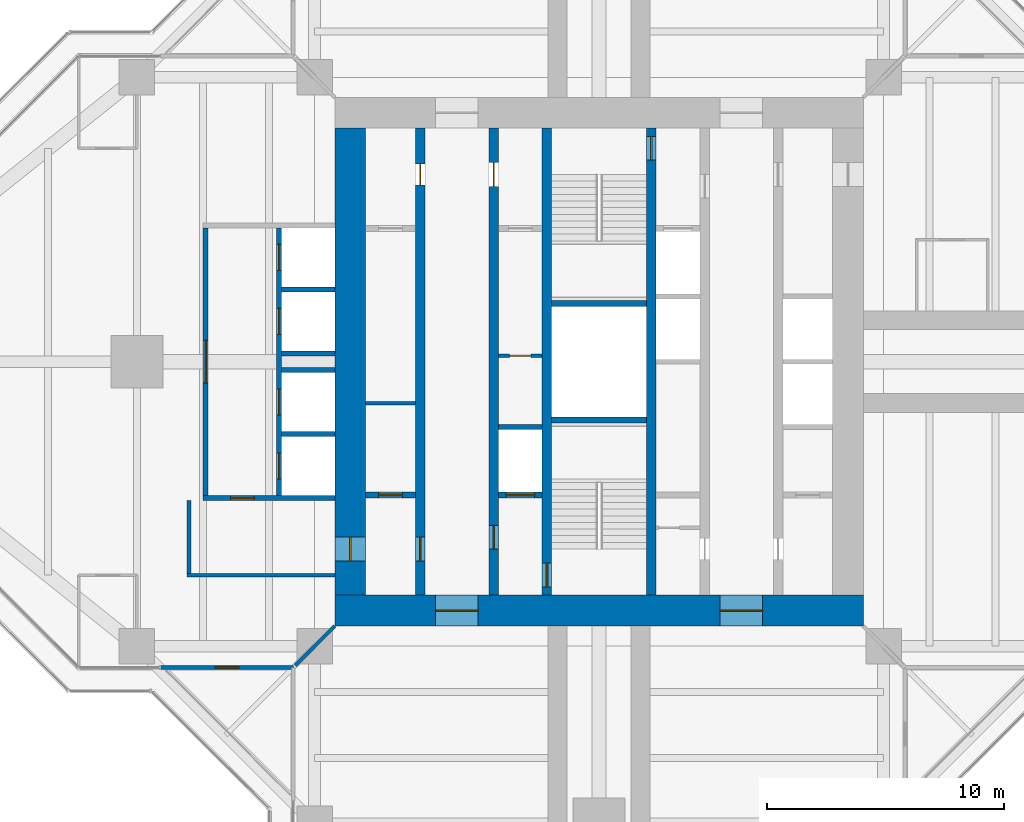
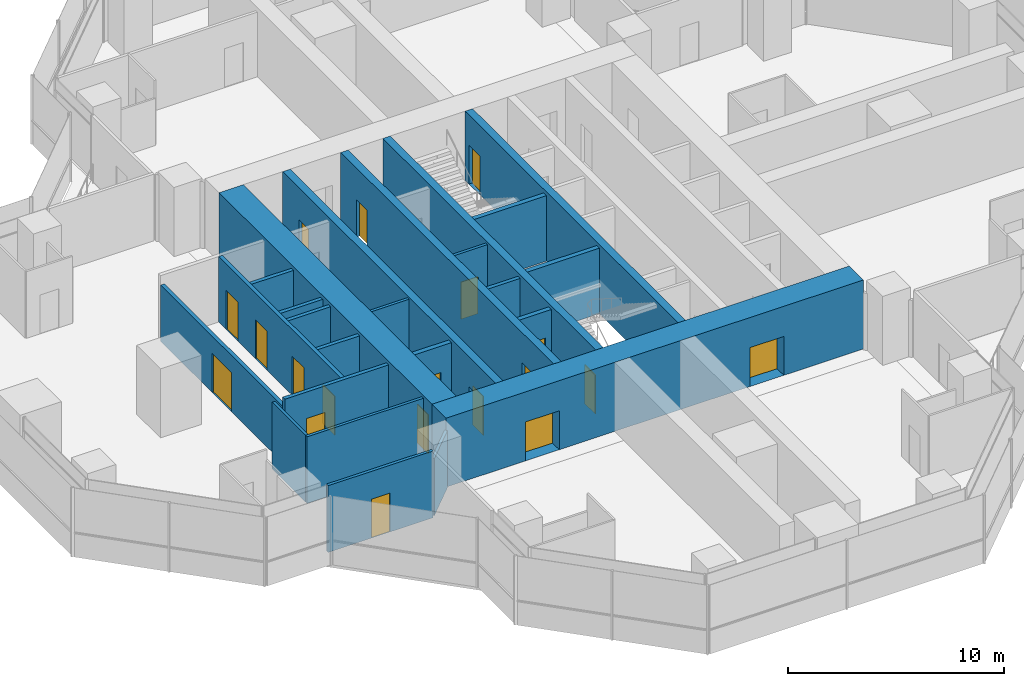
# One storey, part 13 of 17: 24 walls, 19 doors, 19 openings.
"""IFC4 building model written with IfcOpenShell, lengths in metres."""

import ifcopenshell
import ifcopenshell.guid

model = None  # the IFC model being written
_history = None  # IfcOwnerHistory: only IFC2X3 demands one
_inside = {}  # id of a spatial element -> (the spatial element, [elements in it])
_under = {}  # id of a project, library or spatial element -> (it, [spatial elements below it])
_declared = {}  # id of a project -> (the project, [libraries it declares])
_typed = {}  # id of a type object -> (the type object, [elements of that type])
_made_of = {}  # id of a material, layer set ... -> (it, [elements and type objects made of it])


def new_model(schema):
    """Start an empty IFC model of exactly this schema.

    Asked for "IFC4X3", IfcOpenShell would pick the latest addendum, in which some entities
    have other attributes; the version numbers below select the first issue.
    IFC2X3 requires an IfcOwnerHistory on every rooted entity: one is made here for all.
    """
    global model, _history
    if schema == "IFC4X3":
        model = ifcopenshell.file(schema_version=(4, 3, 0, 0))
    else:
        model = ifcopenshell.file(schema=schema)
    _inside.clear()
    _under.clear()
    _declared.clear()
    _typed.clear()
    _made_of.clear()
    _history = None
    if model.schema == "IFC2X3":
        org = make("IfcOrganization", Name="unknown")
        user = make(
            "IfcPersonAndOrganization",
            ThePerson=make("IfcPerson", FamilyName="unknown"),
            TheOrganization=org,
        )
        app = make(
            "IfcApplication",
            ApplicationDeveloper=org,
            Version="unknown",
            ApplicationFullName="unknown",
            ApplicationIdentifier="unknown",
        )
        _history = make(
            "IfcOwnerHistory",
            OwningUser=user,
            OwningApplication=app,
            ChangeAction="ADDED",
            CreationDate=0,
        )
    return model


def make(cls, **values):
    """One entity of the class cls with the attributes given. An attribute that is None is left unset."""
    return model.create_entity(
        cls, **{name: value for name, value in values.items() if value is not None}
    )


def rooted(cls, **values):
    """An entity with a GlobalId (a new one), such as an element, a storey or a relation."""
    return make(cls, GlobalId=ifcopenshell.guid.new(), OwnerHistory=_history, **values)


def si_unit(unit_type, name, prefix=None):
    """IfcSIUnit, for example si_unit("LENGTHUNIT", "METRE", prefix="MILLI")."""
    return make("IfcSIUnit", UnitType=unit_type, Prefix=prefix, Name=name)


def assignment(units):
    """IfcUnitAssignment: the units of a project."""
    return None if units is None else make("IfcUnitAssignment", Units=units)


def point(xyz):
    """IfcCartesianPoint."""
    return None if xyz is None else make("IfcCartesianPoint", Coordinates=xyz)


def direction(xyz):
    """IfcDirection."""
    return None if xyz is None else make("IfcDirection", DirectionRatios=xyz)


def frame(location, z_axis=None, x_axis=None):
    """IfcAxis2Placement3D, a coordinate frame: its origin and axes. An axis left out is left unset."""
    return make(
        "IfcAxis2Placement3D",
        Location=point(location),
        Axis=direction(z_axis),
        RefDirection=direction(x_axis),
    )


def frame_2d(location, x_axis=None):
    """IfcAxis2Placement2D, a coordinate frame in the plane: its origin and x axis."""
    return make(
        "IfcAxis2Placement2D", Location=point(location), RefDirection=direction(x_axis)
    )


def origin():
    """The frame at (0, 0, 0) with its axes left unset."""
    return frame((0.0, 0.0, 0.0))


def place(relative_to, where):
    """IfcLocalPlacement: puts the frame where relative to a parent placement (None: the world)."""
    return make(
        "IfcLocalPlacement", PlacementRelTo=relative_to, RelativePlacement=where
    )


def context(
    kind, dimensions, precision=None, world=None, true_north=None, identifier=None
):
    """IfcGeometricRepresentationContext, for example the 3D "Model" context."""
    return make(
        "IfcGeometricRepresentationContext",
        ContextIdentifier=identifier,
        ContextType=kind,
        CoordinateSpaceDimension=dimensions,
        Precision=precision,
        WorldCoordinateSystem=world,
        TrueNorth=true_north,
    )


def subcontext(parent, identifier, kind, view, scale=None):
    """IfcGeometricRepresentationSubContext, for example "Body" below "Model"."""
    return make(
        "IfcGeometricRepresentationSubContext",
        ContextIdentifier=identifier,
        ContextType=kind,
        ParentContext=parent,
        TargetScale=scale,
        TargetView=view,
    )


def project(units=None, contexts=None):
    """IfcProject with its units and contexts."""
    return rooted(
        "IfcProject",
        Name="project",
        RepresentationContexts=contexts,
        UnitsInContext=assignment(units),
    )


def spatial(cls, under=None, at=None, **own):
    """A site, building, storey or space (cls), placed at a placement, below another one or the project."""
    s = rooted(cls, ObjectPlacement=at, **own)
    if under is not None:
        _under.setdefault(under.id(), (under, []))[1].append(s)
    return s


def profile(cls, at=None, kind="AREA", **sizes):
    """A parametric profile (cls). Its sizes go by their IFC names, for example OverallWidth=200.0."""
    return make(cls, ProfileType=kind, Position=at, **sizes)


def rectangle(**sizes):
    """IfcRectangleProfileDef."""
    return profile("IfcRectangleProfileDef", **sizes)


def extrude(swept, where, along, depth):
    """IfcExtrudedAreaSolid: the profile swept, set in the frame where, extruded along a direction by depth."""
    return make(
        "IfcExtrudedAreaSolid",
        SweptArea=swept,
        Position=where,
        ExtrudedDirection=direction(along),
        Depth=depth,
    )


def shape(context_of_items, identifier, shape_type, items):
    """IfcShapeRepresentation: the items that make up one representation, for example the "Body"."""
    return make(
        "IfcShapeRepresentation",
        ContextOfItems=context_of_items,
        RepresentationIdentifier=identifier,
        RepresentationType=shape_type,
        Items=items,
    )


def material(Name=None, Category=None):
    """IfcMaterial."""
    return make("IfcMaterial", Name=Name, Category=Category)


def layer(
    of_material, thickness, ventilated=None, Name=None, Category=None, Priority=None
):
    """IfcMaterialLayer: one layer of a wall or slab, of a material (None: an air gap)."""
    return make(
        "IfcMaterialLayer",
        Material=of_material,
        LayerThickness=thickness,
        IsVentilated=ventilated,
        Name=Name,
        Category=Category,
        Priority=Priority,
    )


def layer_set(layers, Name=None):
    """IfcMaterialLayerSet."""
    return make("IfcMaterialLayerSet", MaterialLayers=layers, LayerSetName=Name)


def made_of(thing, what):
    """Note that an element or type object is made of a material, layer set ...; save() writes the relation."""
    if what is not None:
        _made_of.setdefault(what.id(), (what, []))[1].append(thing)
    return thing


def type_object(cls, material=None, **own):
    """A type object (cls), such as IfcWallType, which elements share."""
    return made_of(rooted(cls, **own), material)


def element(
    cls,
    number,
    at=None,
    inside=None,
    cuts=None,
    type_object=None,
    material=None,
    context=None,
    identifier="Body",
    shape_type=None,
    held_by="IfcProductDefinitionShape",
    body=None,
    shapes=None,
    **own,
):
    """One element of the class cls, such as IfcWall. Its Tag is "e" and its number.

    at: its placement. inside: the storey or other place that contains it. cuts: it is an
    opening in that element (IfcRelVoidsElement). A single representation is given by context,
    identifier, shape_type and body (its items); several are given by shapes. held_by: the class
    of the entity that holds the representations. save() writes the other relations.
    """
    e = rooted(cls, Tag="e%d" % number, ObjectPlacement=at, **own)
    if body is not None:
        shapes = [shape(context, identifier, shape_type, body)]
    if shapes is not None:
        e.Representation = make(held_by, Representations=shapes)
    if inside is not None:
        _inside.setdefault(inside.id(), (inside, []))[1].append(e)
    if cuts is not None:
        rooted(
            "IfcRelVoidsElement", RelatingBuildingElement=cuts, RelatedOpeningElement=e
        )
    if type_object is not None:
        _typed.setdefault(type_object.id(), (type_object, []))[1].append(e)
    return made_of(e, material)


def fill(opening, filler):
    """IfcRelFillsElement: the door or window that sits in an opening."""
    return rooted(
        "IfcRelFillsElement",
        RelatingOpeningElement=opening,
        RelatedBuildingElement=filler,
    )


def aggregate(whole, parts):
    """IfcRelAggregates: a whole, such as a stair, and the parts it consists of."""
    return rooted("IfcRelAggregates", RelatingObject=whole, RelatedObjects=parts)


def save(model, path):
    """Write the relations noted so far, then the file.

    IfcRelAggregates (storeys below a building ...), IfcRelContainedInSpatialStructure (elements
    in a storey), IfcRelDefinesByType, IfcRelAssociatesMaterial and IfcRelDeclares: one each for
    every whole, place, type object, material and project.
    """
    for whole, parts in _under.values():
        aggregate(whole, parts)
    for where, things in _inside.values():
        rooted(
            "IfcRelContainedInSpatialStructure",
            RelatedElements=things,
            RelatingStructure=where,
        )
    for kind, things in _typed.values():
        rooted("IfcRelDefinesByType", RelatedObjects=things, RelatingType=kind)
    for what, things in _made_of.values():
        rooted("IfcRelAssociatesMaterial", RelatedObjects=things, RelatingMaterial=what)
    for by, libraries in _declared.values():
        rooted("IfcRelDeclares", RelatingContext=by, RelatedDefinitions=libraries)
    model.write(path)


model = new_model("IFC4")

# Units and contexts
model_context = context("Model", 3, precision=1e-05, world=origin(), true_north=direction((0.0, 1.0)))
body_context = subcontext(model_context, "Body", "Model", "MODEL_VIEW")
ifc_project = project(units=[si_unit("LENGTHUNIT", "METRE"), si_unit("AREAUNIT", "SQUARE_METRE"), si_unit("VOLUMEUNIT", "CUBIC_METRE"), si_unit("PLANEANGLEUNIT", "RADIAN"), si_unit("MASSUNIT", "GRAM", prefix="KILO")], contexts=[model_context])

# Site, building, storey
site_placement = place(None, origin())
site = spatial("IfcSite", under=ifc_project, at=site_placement, CompositionType="ELEMENT")
building_placement = place(site_placement, origin())
building = spatial("IfcBuilding", under=site, at=building_placement, Name="Mizan Broadcast Tower", CompositionType="ELEMENT")
storey_placement = place(building_placement, frame((0.0, 0.0, 263.39990234375)))
storey = spatial("IfcBuildingStorey", under=building, at=storey_placement, Name="L62", CompositionType="ELEMENT", Elevation=263.39990234375)

# Wall, openings, doors
ifc_material_1 = material(Name="Concrete C70/85", Category="concrete")
ifc_layer_1 = layer(ifc_material_1, 0.39990234375)
ifc_layer_set_1 = layer_set([ifc_layer_1], Name="Concrete C70/85")
wall_type_1 = type_object("IfcWallType", Name="CORE INTERNAL WALL 400", PredefinedType="SHEAR", material=ifc_layer_set_1)
wall_1_placement = place(storey_placement, frame((-7.550048828125, -9.85009765625, 0.0), z_axis=(0.0, 0.0, 1.0), x_axis=(0.0, 1.0, 0.0)))
wall_1 = element("IfcWall", 1, at=wall_1_placement, inside=storey, type_object=wall_type_1, Name="Core wall CORE/XW1", PredefinedType="SHEAR", context=body_context, shape_type="SweptSolid", body=[
    extrude(rectangle(XDim=19.7001953125, YDim=0.39990234375, at=frame_2d((9.85009765625, 0.0))), origin(), (0.0, 0.0, 1.0), 3.900146484375),
])
opening_1_placement = place(wall_1_placement, frame((1.449951171875, 0.0, 0.0)))
opening_1 = element("IfcOpeningElement", 2, at=opening_1_placement, cuts=wall_1, Name="Opening D10F", PredefinedType="OPENING", context=body_context, shape_type="SweptSolid", body=[
    extrude(rectangle(XDim=1.0, YDim=2.199951171875, at=frame_2d((0.5, 1.10009765625))), frame((0.0, 0.2099609375, 0.0), z_axis=(0.0, -1.0, 0.0), x_axis=(1.0, 0.0, 0.0)), (0.0, 0.0, 1.0), 0.419921875),
])
opening_2_placement = place(wall_1_placement, frame((17.300048828125, 0.0, 0.0)))
opening_2 = element("IfcOpeningElement", 3, at=opening_2_placement, cuts=wall_1, Name="Opening D09", PredefinedType="OPENING", context=body_context, shape_type="SweptSolid", body=[
    extrude(rectangle(XDim=0.89990234375, YDim=2.10009765625, at=frame_2d((0.449951171875, 1.050048828125))), frame((0.0, 0.2099609375, 0.0), z_axis=(0.0, -1.0, 0.0), x_axis=(1.0, 0.0, 0.0)), (0.0, 0.0, 1.0), 0.419921875),
])
ifc_material_2 = material(Name="Steel door leaf in steel frame", Category="steel")
door_type_1 = type_object("IfcDoorType", Name="FIRE DOOR 1000 FD90", OperationType="SINGLE_SWING_LEFT", PredefinedType="DOOR", material=ifc_material_2)
door_1_placement = place(opening_1_placement, origin())
door_1 = element("IfcDoor", 4, at=door_1_placement, inside=storey, type_object=door_type_1, Name="West core passage door", OperationType="SINGLE_SWING_LEFT", OverallHeight=2.199951171875, OverallWidth=1.0, PredefinedType="DOOR", context=body_context, shape_type="SweptSolid", body=[
    extrude(rectangle(XDim=1.0, YDim=2.199951171875, at=frame_2d((0.5, 1.10009765625))), frame((0.0, 0.02490234375, 0.0), z_axis=(0.0, -1.0, 0.0), x_axis=(1.0, 0.0, 0.0)), (0.0, 0.0, 1.0), 0.050048828125),
])
fill(opening_1, door_1)
ifc_material_3 = material(Name="Timber door leaf in aluminium frame", Category="wood")
door_type_2 = type_object("IfcDoorType", Name="TOILET DOOR 900", OperationType="SINGLE_SWING_LEFT", PredefinedType="DOOR", material=ifc_material_3)
door_2_placement = place(opening_2_placement, origin())
door_2 = element("IfcDoor", 5, at=door_2_placement, inside=storey, type_object=door_type_2, Name="Male WC door", OperationType="SINGLE_SWING_RIGHT", OverallHeight=2.10009765625, OverallWidth=0.89990234375, PredefinedType="DOOR", context=body_context, shape_type="SweptSolid", body=[
    extrude(rectangle(XDim=0.89990234375, YDim=2.10009765625, at=frame_2d((0.449951171875, 1.050048828125))), frame((0.0, 0.02490234375, 0.0), z_axis=(0.0, -1.0, 0.0), x_axis=(1.0, 0.0, 0.0)), (0.0, 0.0, 1.0), 0.050048828125),
])
fill(opening_2, door_2)

wall_2_placement = place(storey_placement, frame((-4.449951171875, -9.85009765625, 0.0), z_axis=(0.0, 0.0, 1.0), x_axis=(0.0, 1.0, 0.0)))
wall_2 = element("IfcWall", 6, at=wall_2_placement, inside=storey, type_object=wall_type_1, Name="Core wall CORE/XWH", PredefinedType="SHEAR", context=body_context, shape_type="SweptSolid", body=[
    extrude(rectangle(XDim=19.7001953125, YDim=0.39990234375, at=frame_2d((9.85009765625, 0.0))), origin(), (0.0, 0.0, 1.0), 3.900146484375),
])
opening_3_placement = place(wall_2_placement, frame((1.949951171875, 0.0, 0.0)))
opening_3 = element("IfcOpeningElement", 7, at=opening_3_placement, cuts=wall_2, Name="Opening D10F", PredefinedType="OPENING", context=body_context, shape_type="SweptSolid", body=[
    extrude(rectangle(XDim=1.0, YDim=2.199951171875, at=frame_2d((0.5, 1.10009765625))), frame((0.0, 0.2099609375, 0.0), z_axis=(0.0, -1.0, 0.0), x_axis=(1.0, 0.0, 0.0)), (0.0, 0.0, 1.0), 0.419921875),
])
opening_4_placement = place(wall_2_placement, frame((17.25, 0.0, 0.0)))
opening_4 = element("IfcOpeningElement", 8, at=opening_4_placement, cuts=wall_2, Name="Opening D10A", PredefinedType="OPENING", context=body_context, shape_type="SweptSolid", body=[
    extrude(rectangle(XDim=1.0, YDim=2.10009765625, at=frame_2d((0.5, 1.050048828125))), frame((0.0, 0.2099609375, 0.0), z_axis=(0.0, -1.0, 0.0), x_axis=(1.0, 0.0, 0.0)), (0.0, 0.0, 1.0), 0.419921875),
])
ifc_material_4 = material(Name="Timber door leaf in aluminium frame", Category="wood")
door_type_3 = type_object("IfcDoorType", Name="ACCESSIBLE WC DOOR 1000", OperationType="SLIDING_TO_LEFT", PredefinedType="DOOR", material=ifc_material_4)
door_3_placement = place(opening_4_placement, origin())
door_3 = element("IfcDoor", 9, at=door_3_placement, inside=storey, type_object=door_type_3, Name="Accessible WC door", OperationType="SLIDING_TO_LEFT", OverallHeight=2.10009765625, OverallWidth=1.0, PredefinedType="DOOR", context=body_context, shape_type="SweptSolid", body=[
    extrude(rectangle(XDim=1.0, YDim=2.10009765625, at=frame_2d((0.5, 1.050048828125))), frame((0.0, 0.02490234375, 0.0), z_axis=(0.0, -1.0, 0.0), x_axis=(1.0, 0.0, 0.0)), (0.0, 0.0, 1.0), 0.050048828125),
])
fill(opening_4, door_3)
door_4_placement = place(opening_3_placement, origin())
door_4 = element("IfcDoor", 10, at=door_4_placement, inside=storey, type_object=door_type_1, Name="Firefighting lobby A door", OperationType="SINGLE_SWING_LEFT", OverallHeight=2.199951171875, OverallWidth=1.0, PredefinedType="DOOR", context=body_context, shape_type="SweptSolid", body=[
    extrude(rectangle(XDim=1.0, YDim=2.199951171875, at=frame_2d((0.5, 1.10009765625))), frame((0.0, 0.02490234375, 0.0), z_axis=(0.0, -1.0, 0.0), x_axis=(1.0, 0.0, 0.0)), (0.0, 0.0, 1.0), 0.050048828125),
])
fill(opening_3, door_4)

# Wall, opening, door
wall_3_placement = place(storey_placement, frame((-2.199951171875, -9.85009765625, 0.0), z_axis=(0.0, 0.0, 1.0), x_axis=(0.0, 1.0, 0.0)))
wall_3 = element("IfcWall", 11, at=wall_3_placement, inside=storey, type_object=wall_type_1, Name="Core wall CORE/XW2", PredefinedType="SHEAR", context=body_context, shape_type="SweptSolid", body=[
    extrude(rectangle(XDim=19.7001953125, YDim=0.39990234375, at=frame_2d((9.85009765625, 0.0))), origin(), (0.0, 0.0, 1.0), 3.900146484375),
])
opening_5_placement = place(wall_3_placement, frame((0.35009765625, 0.0, 0.0)))
opening_5 = element("IfcOpeningElement", 12, at=opening_5_placement, cuts=wall_3, Name="Opening D10S", PredefinedType="OPENING", context=body_context, shape_type="SweptSolid", body=[
    extrude(rectangle(XDim=1.0, YDim=2.199951171875, at=frame_2d((0.5, 1.10009765625))), frame((0.0, 0.2099609375, 0.0), z_axis=(0.0, -1.0, 0.0), x_axis=(1.0, 0.0, 0.0)), (0.0, 0.0, 1.0), 0.419921875),
])
ifc_material_5 = material(Name="Steel door leaf in steel frame", Category="steel")
door_type_4 = type_object("IfcDoorType", Name="STAIR DOOR 1000 FD90S", OperationType="SINGLE_SWING_RIGHT", PredefinedType="DOOR", material=ifc_material_5)
door_5_placement = place(opening_5_placement, origin())
door_5 = element("IfcDoor", 13, at=door_5_placement, inside=storey, type_object=door_type_4, Name="Stair A door", OperationType="SINGLE_SWING_RIGHT", OverallHeight=2.199951171875, OverallWidth=1.0, PredefinedType="DOOR", context=body_context, shape_type="SweptSolid", body=[
    extrude(rectangle(XDim=1.0, YDim=2.199951171875, at=frame_2d((0.5, 1.10009765625))), frame((0.0, 0.02490234375, 0.0), z_axis=(0.0, -1.0, 0.0), x_axis=(1.0, 0.0, 0.0)), (0.0, 0.0, 1.0), 0.050048828125),
])
fill(opening_5, door_5)

wall_4_placement = place(storey_placement, frame((2.199951171875, 9.85009765625, 0.0), z_axis=(0.0, 0.0, 1.0), x_axis=(0.0, -1.0, 0.0)))
wall_4 = element("IfcWall", 14, at=wall_4_placement, inside=storey, type_object=wall_type_1, Name="Core wall CORE/XW2E", PredefinedType="SHEAR", context=body_context, shape_type="SweptSolid", body=[
    extrude(rectangle(XDim=19.7001953125, YDim=0.39990234375, at=frame_2d((9.85009765625, 0.0))), origin(), (0.0, 0.0, 1.0), 3.900146484375),
])
opening_6_placement = place(wall_4_placement, frame((0.35009765625, 0.0, 0.0)))
opening_6 = element("IfcOpeningElement", 15, at=opening_6_placement, cuts=wall_4, Name="Opening D10S", PredefinedType="OPENING", context=body_context, shape_type="SweptSolid", body=[
    extrude(rectangle(XDim=1.0, YDim=2.199951171875, at=frame_2d((0.5, 1.10009765625))), frame((0.0, 0.2099609375, 0.0), z_axis=(0.0, -1.0, 0.0), x_axis=(1.0, 0.0, 0.0)), (0.0, 0.0, 1.0), 0.419921875),
])
door_6_placement = place(opening_6_placement, origin())
door_6 = element("IfcDoor", 16, at=door_6_placement, inside=storey, type_object=door_type_4, Name="Stair B door", OperationType="SINGLE_SWING_RIGHT", OverallHeight=2.199951171875, OverallWidth=1.0, PredefinedType="DOOR", context=body_context, shape_type="SweptSolid", body=[
    extrude(rectangle(XDim=1.0, YDim=2.199951171875, at=frame_2d((0.5, 1.10009765625))), frame((0.0, 0.02490234375, 0.0), z_axis=(0.0, -1.0, 0.0), x_axis=(1.0, 0.0, 0.0)), (0.0, 0.0, 1.0), 0.050048828125),
])
fill(opening_6, door_6)

# Wall
ifc_material_6 = material(Name="Concrete blockwork", Category="masonry")
ifc_layer_2 = layer(ifc_material_6, 0.14990234375)
ifc_layer_set_2 = layer_set([ifc_layer_2], Name="Concrete blockwork")
wall_type_2 = type_object("IfcWallType", Name="CORE PARTITION 150", PredefinedType="SOLIDWALL", material=ifc_layer_set_2)
wall_5_placement = place(storey_placement, frame((-9.85009765625, -1.75, 0.0), z_axis=(0.0, 0.0, 1.0), x_axis=(1.0, 0.0, 0.0)))
element("IfcWall", 17, at=wall_5_placement, inside=storey, type_object=wall_type_2, Name="Core partition CORE/XP1", PredefinedType="SOLIDWALL", context=body_context, shape_type="SweptSolid", body=[
    extrude(rectangle(XDim=2.10009765625, YDim=0.14990234375, at=frame_2d((1.050048828125, 0.0))), origin(), (0.0, 0.0, 1.0), 3.77001953125),
])

# Wall, opening, door
wall_6_placement = place(storey_placement, frame((-4.25, 0.25, 0.0), z_axis=(0.0, 0.0, 1.0), x_axis=(1.0, 0.0, 0.0)))
wall_6 = element("IfcWall", 18, at=wall_6_placement, inside=storey, type_object=wall_type_2, Name="Core partition CORE/XP2", PredefinedType="SOLIDWALL", context=body_context, shape_type="SweptSolid", body=[
    extrude(rectangle(XDim=1.85009765625, YDim=0.14990234375, at=frame_2d((0.925048828125, 0.0))), origin(), (0.0, 0.0, 1.0), 3.77001953125),
])
opening_7_placement = place(wall_6_placement, frame((0.47509765625, 0.0, 0.0)))
opening_7 = element("IfcOpeningElement", 19, at=opening_7_placement, cuts=wall_6, Name="Opening D09F", PredefinedType="OPENING", context=body_context, shape_type="SweptSolid", body=[
    extrude(rectangle(XDim=0.89990234375, YDim=2.10009765625, at=frame_2d((0.449951171875, 1.050048828125))), frame((0.0, 0.0849609375, 0.0), z_axis=(0.0, -1.0, 0.0), x_axis=(1.0, 0.0, 0.0)), (0.0, 0.0, 1.0), 0.169921875),
])
ifc_material_7 = material(Name="Steel door leaf in steel frame", Category="steel")
door_type_5 = type_object("IfcDoorType", Name="CORE ROOM DOOR 900 FD90", OperationType="SINGLE_SWING_LEFT", PredefinedType="DOOR", material=ifc_material_7)
door_7_placement = place(opening_7_placement, origin())
door_7 = element("IfcDoor", 20, at=door_7_placement, inside=storey, type_object=door_type_5, Name="Accessible changing room door", OperationType="SINGLE_SWING_RIGHT", OverallHeight=2.10009765625, OverallWidth=0.89990234375, PredefinedType="DOOR", context=body_context, shape_type="SweptSolid", body=[
    extrude(rectangle(XDim=0.89990234375, YDim=2.10009765625, at=frame_2d((0.449951171875, 1.050048828125))), frame((0.0, 0.02490234375, 0.0), z_axis=(0.0, -1.0, 0.0), x_axis=(1.0, 0.0, 0.0)), (0.0, 0.0, 1.0), 0.050048828125),
])
fill(opening_7, door_7)

# Wall, openings, doors
ifc_material_8 = material(Name="Concrete C70/85", Category="concrete")
ifc_layer_3 = layer(ifc_material_8, 1.300048828125)
ifc_layer_set_3 = layer_set([ifc_layer_3], Name="Concrete C70/85")
wall_type_3 = type_object("IfcWallType", Name="CORE WALL 1300", PredefinedType="SHEAR", material=ifc_layer_set_3)
wall_7_placement = place(storey_placement, frame((11.14990234375, -10.5, 0.0), z_axis=(0.0, 0.0, 1.0), x_axis=(-1.0, 0.0, 0.0)))
wall_7 = element("IfcWall", 21, at=wall_7_placement, inside=storey, type_object=wall_type_3, Name="Core wall S L62", PredefinedType="SHEAR", context=body_context, shape_type="SweptSolid", body=[
    extrude(rectangle(XDim=22.2998046875, YDim=1.300048828125, at=frame_2d((11.14990234375, 0.0))), origin(), (0.0, 0.0, 1.0), 3.900146484375),
])
opening_8_placement = place(wall_7_placement, frame((16.25, 0.0, 0.0)))
opening_8 = element("IfcOpeningElement", 22, at=opening_8_placement, cuts=wall_7, Name="Opening D18F", PredefinedType="OPENING", context=body_context, shape_type="SweptSolid", body=[
    extrude(rectangle(XDim=1.800048828125, YDim=2.199951171875, at=frame_2d((0.89990234375, 1.10009765625))), frame((0.0, 0.659912109375, 0.0), z_axis=(0.0, -1.0, 0.0), x_axis=(1.0, 0.0, 0.0)), (0.0, 0.0, 1.0), 1.320068359375),
])
opening_9_placement = place(wall_7_placement, frame((4.25, 0.0, 0.0)))
opening_9 = element("IfcOpeningElement", 23, at=opening_9_placement, cuts=wall_7, Name="Opening D18F", PredefinedType="OPENING", context=body_context, shape_type="SweptSolid", body=[
    extrude(rectangle(XDim=1.800048828125, YDim=2.199951171875, at=frame_2d((0.89990234375, 1.10009765625))), frame((0.0, 0.659912109375, 0.0), z_axis=(0.0, -1.0, 0.0), x_axis=(1.0, 0.0, 0.0)), (0.0, 0.0, 1.0), 1.320068359375),
])
ifc_material_9 = material(Name="Steel door leaf in steel frame", Category="steel")
door_type_6 = type_object("IfcDoorType", Name="LOBBY DOUBLE DOOR 1800 FD90", OperationType="DOUBLE_DOOR_DOUBLE_SWING", PredefinedType="DOOR", material=ifc_material_9)
door_8_placement = place(opening_8_placement, origin())
door_8 = element("IfcDoor", 24, at=door_8_placement, inside=storey, type_object=door_type_6, Name="West lift lobby south door", OperationType="DOUBLE_DOOR_DOUBLE_SWING", OverallHeight=2.199951171875, OverallWidth=1.800048828125, PredefinedType="DOOR", context=body_context, shape_type="SweptSolid", body=[
    extrude(rectangle(XDim=1.800048828125, YDim=2.199951171875, at=frame_2d((0.89990234375, 1.10009765625))), frame((0.0, 0.02490234375, 0.0), z_axis=(0.0, -1.0, 0.0), x_axis=(1.0, 0.0, 0.0)), (0.0, 0.0, 1.0), 0.050048828125),
])
fill(opening_8, door_8)
door_9_placement = place(opening_9_placement, origin())
door_9 = element("IfcDoor", 25, at=door_9_placement, inside=storey, type_object=door_type_6, Name="East lift lobby south door", OperationType="DOUBLE_DOOR_DOUBLE_SWING", OverallHeight=2.199951171875, OverallWidth=1.800048828125, PredefinedType="DOOR", context=body_context, shape_type="SweptSolid", body=[
    extrude(rectangle(XDim=1.800048828125, YDim=2.199951171875, at=frame_2d((0.89990234375, 1.10009765625))), frame((0.0, 0.02490234375, 0.0), z_axis=(0.0, -1.0, 0.0), x_axis=(1.0, 0.0, 0.0)), (0.0, 0.0, 1.0), 0.050048828125),
])
fill(opening_9, door_9)

# Wall, opening, door
wall_8_placement = place(storey_placement, frame((-10.5, 9.85009765625, 0.0), z_axis=(0.0, 0.0, 1.0), x_axis=(0.0, -1.0, 0.0)))
wall_8 = element("IfcWall", 26, at=wall_8_placement, inside=storey, type_object=wall_type_3, Name="Core wall W L62", PredefinedType="SHEAR", context=body_context, shape_type="SweptSolid", body=[
    extrude(rectangle(XDim=19.7001953125, YDim=1.300048828125, at=frame_2d((9.85009765625, 0.0))), origin(), (0.0, 0.0, 1.0), 3.900146484375),
])
opening_10_placement = place(wall_8_placement, frame((17.25, 0.0, 0.0)))
opening_10 = element("IfcOpeningElement", 27, at=opening_10_placement, cuts=wall_8, Name="Opening D10F", PredefinedType="OPENING", context=body_context, shape_type="SweptSolid", body=[
    extrude(rectangle(XDim=1.0, YDim=2.199951171875, at=frame_2d((0.5, 1.10009765625))), frame((0.0, 0.659912109375, 0.0), z_axis=(0.0, -1.0, 0.0), x_axis=(1.0, 0.0, 0.0)), (0.0, 0.0, 1.0), 1.320068359375),
])
door_10_placement = place(opening_10_placement, origin())
door_10 = element("IfcDoor", 28, at=door_10_placement, inside=storey, type_object=door_type_1, Name="West core passage arm door", OperationType="SINGLE_SWING_RIGHT", OverallHeight=2.199951171875, OverallWidth=1.0, PredefinedType="DOOR", context=body_context, shape_type="SweptSolid", body=[
    extrude(rectangle(XDim=1.0, YDim=2.199951171875, at=frame_2d((0.5, 1.10009765625))), frame((0.0, 0.02490234375, 0.0), z_axis=(0.0, -1.0, 0.0), x_axis=(1.0, 0.0, 0.0)), (0.0, 0.0, 1.0), 0.050048828125),
])
fill(opening_10, door_10)

ifc_material_10 = material(Name="Aluminium framed glazed screen", Category="aluminium")
ifc_layer_4 = layer(ifc_material_10, 0.159912109375)
ifc_layer_set_4 = layer_set([ifc_layer_4], Name="Aluminium framed glazed screen")
wall_type_4 = type_object("IfcWallType", Name="GLAZED SCREEN WALL 160", PredefinedType="SOLIDWALL", material=ifc_layer_set_4)
wall_9_placement = place(storey_placement, frame((-18.5, -12.89990234375, 0.0), z_axis=(0.0, 0.0, 1.0), x_axis=(1.0, 0.0, 0.0)))
wall_9 = element("IfcWall", 29, at=wall_9_placement, inside=storey, type_object=wall_type_4, Name="Winter garden screen L62 W", PredefinedType="SOLIDWALL", context=body_context, shape_type="SweptSolid", body=[
    extrude(rectangle(XDim=5.60009765625, YDim=0.159912109375, at=frame_2d((2.800048828125, 0.0))), origin(), (0.0, 0.0, 1.0), 3.77001953125),
])
opening_11_placement = place(wall_9_placement, frame((2.300048828125, 0.0, 0.0)))
opening_11 = element("IfcOpeningElement", 30, at=opening_11_placement, cuts=wall_9, Name="Opening WGD", PredefinedType="OPENING", context=body_context, shape_type="SweptSolid", body=[
    extrude(rectangle(XDim=1.0, YDim=2.199951171875, at=frame_2d((0.5, 1.10009765625))), frame((0.0, 0.08984375, 0.0), z_axis=(0.0, -1.0, 0.0), x_axis=(1.0, 0.0, 0.0)), (0.0, 0.0, 1.0), 0.179931640625),
])
ifc_material_11 = material(Name="Aluminium framed glazed door", Category="aluminium")
door_type_7 = type_object("IfcDoorType", Name="WINTER GARDEN DOOR 1000 GLAZED", OperationType="SINGLE_SWING_LEFT", PredefinedType="DOOR", material=ifc_material_11)
door_11_placement = place(opening_11_placement, origin())
door_11 = element("IfcDoor", 31, at=door_11_placement, inside=storey, type_object=door_type_7, Name="Winter garden door L62 W", OperationType="SINGLE_SWING_RIGHT", OverallHeight=2.199951171875, OverallWidth=1.0, PredefinedType="DOOR", context=body_context, shape_type="SweptSolid", body=[
    extrude(rectangle(XDim=1.0, YDim=2.199951171875, at=frame_2d((0.5, 1.10009765625))), frame((0.0, 0.02490234375, 0.0), z_axis=(0.0, -1.0, 0.0), x_axis=(1.0, 0.0, 0.0)), (0.0, 0.0, 1.0), 0.050048828125),
])
fill(opening_11, door_11)

# Wall
ifc_material_12 = material(Name="Concrete blockwork", Category="masonry")
ifc_layer_5 = layer(ifc_material_12, 0.199951171875)
ifc_layer_set_5 = layer_set([ifc_layer_5], Name="Concrete blockwork")
wall_type_5 = type_object("IfcWallType", Name="LIFT SHAFT WALL 200", PredefinedType="SOLIDWALL", material=ifc_layer_set_5)
wall_10_placement = place(storey_placement, frame((-4.25, -2.75, 0.0), z_axis=(0.0, 0.0, 1.0), x_axis=(1.0, 0.0, 0.0)))
element("IfcWall", 32, at=wall_10_placement, inside=storey, type_object=wall_type_5, Name="Lift shaft wall CORE/SW2-1", PredefinedType="SOLIDWALL", context=body_context, shape_type="SweptSolid", body=[
    extrude(rectangle(XDim=1.85009765625, YDim=0.199951171875, at=frame_2d((0.925048828125, 0.0))), origin(), (0.0, 0.0, 1.0), 3.7001953125),
])

# Wall, openings, doors
wall_11_placement = place(storey_placement, frame((-13.5, 5.64990234375, 0.0), z_axis=(0.0, 0.0, 1.0), x_axis=(0.0, -1.0, 0.0)))
wall_11 = element("IfcWall", 33, at=wall_11_placement, inside=storey, type_object=wall_type_5, Name="Lift shaft wall LC/F", PredefinedType="SOLIDWALL", context=body_context, shape_type="SweptSolid", body=[
    extrude(rectangle(XDim=11.2998046875, YDim=0.199951171875, at=frame_2d((5.64990234375, 0.0))), origin(), (0.0, 0.0, 1.0), 3.7001953125),
])
opening_12_placement = place(wall_11_placement, frame((0.699951171875, 0.0, 0.0)))
opening_12 = element("IfcOpeningElement", 34, at=opening_12_placement, cuts=wall_11, Name="Opening LD", PredefinedType="OPENING", context=body_context, shape_type="SweptSolid", body=[
    extrude(rectangle(XDim=1.10009765625, YDim=2.199951171875, at=frame_2d((0.550048828125, 1.10009765625))), frame((0.0, 0.10986328125, 0.0), z_axis=(0.0, -1.0, 0.0), x_axis=(1.0, 0.0, 0.0)), (0.0, 0.0, 1.0), 0.219970703125),
])
opening_13_placement = place(wall_11_placement, frame((3.39990234375, 0.0, 0.0)))
opening_13 = element("IfcOpeningElement", 35, at=opening_13_placement, cuts=wall_11, Name="Opening LD", PredefinedType="OPENING", context=body_context, shape_type="SweptSolid", body=[
    extrude(rectangle(XDim=1.10009765625, YDim=2.199951171875, at=frame_2d((0.550048828125, 1.10009765625))), frame((0.0, 0.10986328125, 0.0), z_axis=(0.0, -1.0, 0.0), x_axis=(1.0, 0.0, 0.0)), (0.0, 0.0, 1.0), 0.219970703125),
])
opening_14_placement = place(wall_11_placement, frame((6.800048828125, 0.0, 0.0)))
opening_14 = element("IfcOpeningElement", 36, at=opening_14_placement, cuts=wall_11, Name="Opening LD", PredefinedType="OPENING", context=body_context, shape_type="SweptSolid", body=[
    extrude(rectangle(XDim=1.10009765625, YDim=2.199951171875, at=frame_2d((0.550048828125, 1.10009765625))), frame((0.0, 0.10986328125, 0.0), z_axis=(0.0, -1.0, 0.0), x_axis=(1.0, 0.0, 0.0)), (0.0, 0.0, 1.0), 0.219970703125),
])
opening_15_placement = place(wall_11_placement, frame((9.5, 0.0, 0.0)))
opening_15 = element("IfcOpeningElement", 37, at=opening_15_placement, cuts=wall_11, Name="Opening LD", PredefinedType="OPENING", context=body_context, shape_type="SweptSolid", body=[
    extrude(rectangle(XDim=1.10009765625, YDim=2.199951171875, at=frame_2d((0.550048828125, 1.10009765625))), frame((0.0, 0.10986328125, 0.0), z_axis=(0.0, -1.0, 0.0), x_axis=(1.0, 0.0, 0.0)), (0.0, 0.0, 1.0), 0.219970703125),
])
ifc_material_13 = material(Name="Steel door leaf in steel frame", Category="steel")
door_type_8 = type_object("IfcDoorType", Name="LIFT LANDING DOOR 1100", OperationType="SLIDING_TO_LEFT", PredefinedType="DOOR", material=ifc_material_13)
door_12_placement = place(opening_12_placement, origin())
door_12 = element("IfcDoor", 38, at=door_12_placement, inside=storey, type_object=door_type_8, Name="Landing door LC1", OperationType="SLIDING_TO_LEFT", OverallHeight=2.199951171875, OverallWidth=1.10009765625, PredefinedType="DOOR", context=body_context, shape_type="SweptSolid", body=[
    extrude(rectangle(XDim=1.10009765625, YDim=2.199951171875, at=frame_2d((0.550048828125, 1.10009765625))), frame((0.0, 0.02490234375, 0.0), z_axis=(0.0, -1.0, 0.0), x_axis=(1.0, 0.0, 0.0)), (0.0, 0.0, 1.0), 0.050048828125),
])
fill(opening_12, door_12)
door_13_placement = place(opening_13_placement, origin())
door_13 = element("IfcDoor", 39, at=door_13_placement, inside=storey, type_object=door_type_8, Name="Landing door LC2", OperationType="SLIDING_TO_LEFT", OverallHeight=2.199951171875, OverallWidth=1.10009765625, PredefinedType="DOOR", context=body_context, shape_type="SweptSolid", body=[
    extrude(rectangle(XDim=1.10009765625, YDim=2.199951171875, at=frame_2d((0.550048828125, 1.10009765625))), frame((0.0, 0.02490234375, 0.0), z_axis=(0.0, -1.0, 0.0), x_axis=(1.0, 0.0, 0.0)), (0.0, 0.0, 1.0), 0.050048828125),
])
fill(opening_13, door_13)
door_14_placement = place(opening_14_placement, origin())
door_14 = element("IfcDoor", 40, at=door_14_placement, inside=storey, type_object=door_type_8, Name="Landing door LC3", OperationType="SLIDING_TO_LEFT", OverallHeight=2.199951171875, OverallWidth=1.10009765625, PredefinedType="DOOR", context=body_context, shape_type="SweptSolid", body=[
    extrude(rectangle(XDim=1.10009765625, YDim=2.199951171875, at=frame_2d((0.550048828125, 1.10009765625))), frame((0.0, 0.02490234375, 0.0), z_axis=(0.0, -1.0, 0.0), x_axis=(1.0, 0.0, 0.0)), (0.0, 0.0, 1.0), 0.050048828125),
])
fill(opening_14, door_14)
door_15_placement = place(opening_15_placement, origin())
door_15 = element("IfcDoor", 41, at=door_15_placement, inside=storey, type_object=door_type_8, Name="Landing door LC4", OperationType="SLIDING_TO_LEFT", OverallHeight=2.199951171875, OverallWidth=1.10009765625, PredefinedType="DOOR", context=body_context, shape_type="SweptSolid", body=[
    extrude(rectangle(XDim=1.10009765625, YDim=2.199951171875, at=frame_2d((0.550048828125, 1.10009765625))), frame((0.0, 0.02490234375, 0.0), z_axis=(0.0, -1.0, 0.0), x_axis=(1.0, 0.0, 0.0)), (0.0, 0.0, 1.0), 0.050048828125),
])
fill(opening_15, door_15)

# Wall, opening, door
wall_12_placement = place(storey_placement, frame((-11.14990234375, -5.75, 0.0), z_axis=(0.0, 0.0, 1.0), x_axis=(-1.0, 0.0, 0.0)))
wall_12 = element("IfcWall", 42, at=wall_12_placement, inside=storey, type_object=wall_type_5, Name="Lift shaft wall LC/S2", PredefinedType="SOLIDWALL", context=body_context, shape_type="SweptSolid", body=[
    extrude(rectangle(XDim=5.550048828125, YDim=0.199951171875, at=frame_2d((2.77490234375, 0.0))), origin(), (0.0, 0.0, 1.0), 3.7001953125),
])
opening_16_placement = place(wall_12_placement, frame((3.39990234375, 0.0, 0.0)))
opening_16 = element("IfcOpeningElement", 43, at=opening_16_placement, cuts=wall_12, Name="Opening D10F", PredefinedType="OPENING", context=body_context, shape_type="SweptSolid", body=[
    extrude(rectangle(XDim=1.0, YDim=2.199951171875, at=frame_2d((0.5, 1.10009765625))), frame((0.0, 0.10986328125, 0.0), z_axis=(0.0, -1.0, 0.0), x_axis=(1.0, 0.0, 0.0)), (0.0, 0.0, 1.0), 0.219970703125),
])
door_16_placement = place(opening_16_placement, origin())
door_16 = element("IfcDoor", 44, at=door_16_placement, inside=storey, type_object=door_type_1, Name="High-rise lobby corridor door", OperationType="SINGLE_SWING_RIGHT", OverallHeight=2.199951171875, OverallWidth=1.0, PredefinedType="DOOR", context=body_context, shape_type="SweptSolid", body=[
    extrude(rectangle(XDim=1.0, YDim=2.199951171875, at=frame_2d((0.5, 1.10009765625))), frame((0.0, 0.02490234375, 0.0), z_axis=(0.0, -1.0, 0.0), x_axis=(1.0, 0.0, 0.0)), (0.0, 0.0, 1.0), 0.050048828125),
])
fill(opening_16, door_16)

# Walls
for number, where, z_axis, x_axis, name in (
    (45, (-11.14990234375, 3.050048828125, 0.0), (0.0, 0.0, 1.0), (-1.0, 0.0, 0.0), "Lift shaft wall LC/SP1"),
    (46, (-11.14990234375, 0.35009765625, 0.0), (0.0, 0.0, 1.0), (-1.0, 0.0, 0.0), "Lift shaft wall LC/SP2"),
    (47, (-11.14990234375, -0.35009765625, 0.0), (0.0, 0.0, 1.0), (-1.0, 0.0, 0.0), "Lift shaft wall LC/SP3"),
    (48, (-11.14990234375, -3.050048828125, 0.0), (0.0, 0.0, 1.0), (-1.0, 0.0, 0.0), "Lift shaft wall LC/SP4"),
):
    element("IfcWall", number, at=place(storey_placement, frame(where, z_axis=z_axis, x_axis=x_axis)), inside=storey, type_object=wall_type_5, Name=name, PredefinedType="SOLIDWALL", context=body_context, shape_type="SweptSolid", body=[
        extrude(rectangle(XDim=2.25, YDim=0.199951171875, at=frame_2d((1.125, 0.0))), origin(), (0.0, 0.0, 1.0), 3.7001953125),
    ])

# Wall, opening, door
ifc_material_14 = material(Name="Concrete blockwork", Category="masonry")
ifc_layer_6 = layer(ifc_material_14, 0.25)
ifc_layer_set_6 = layer_set([ifc_layer_6], Name="Concrete blockwork")
wall_type_6 = type_object("IfcWallType", Name="LOBBY ENCLOSURE WALL 250", PredefinedType="SOLIDWALL", material=ifc_layer_set_6)
wall_13_placement = place(storey_placement, frame((-9.85009765625, -5.625, 0.0), z_axis=(0.0, 0.0, 1.0), x_axis=(1.0, 0.0, 0.0)))
wall_13 = element("IfcWall", 49, at=wall_13_placement, inside=storey, type_object=wall_type_6, Name="Lobby enclosure wall CORE/BW1S", PredefinedType="SOLIDWALL", context=body_context, shape_type="SweptSolid", body=[
    extrude(rectangle(XDim=2.10009765625, YDim=0.25, at=frame_2d((1.050048828125, 0.0))), origin(), (0.0, 0.0, 1.0), 3.7001953125),
])
opening_17_placement = place(wall_13_placement, frame((0.550048828125, 0.0, 0.0)))
opening_17 = element("IfcOpeningElement", 50, at=opening_17_placement, cuts=wall_13, Name="Opening D10F", PredefinedType="OPENING", context=body_context, shape_type="SweptSolid", body=[
    extrude(rectangle(XDim=1.0, YDim=2.199951171875, at=frame_2d((0.5, 1.10009765625))), frame((0.0, 0.135009765625, 0.0), z_axis=(0.0, -1.0, 0.0), x_axis=(1.0, 0.0, 0.0)), (0.0, 0.0, 1.0), 0.27001953125),
])
door_17_placement = place(opening_17_placement, origin())
door_17 = element("IfcDoor", 51, at=door_17_placement, inside=storey, type_object=door_type_1, Name="Linen store door", OperationType="SINGLE_SWING_RIGHT", OverallHeight=2.199951171875, OverallWidth=1.0, PredefinedType="DOOR", context=body_context, shape_type="SweptSolid", body=[
    extrude(rectangle(XDim=1.0, YDim=2.199951171875, at=frame_2d((0.5, 1.10009765625))), frame((0.0, 0.02490234375, 0.0), z_axis=(0.0, -1.0, 0.0), x_axis=(1.0, 0.0, 0.0)), (0.0, 0.0, 1.0), 0.050048828125),
])
fill(opening_17, door_17)

wall_14_placement = place(storey_placement, frame((-4.25, -5.625, 0.0), z_axis=(0.0, 0.0, 1.0), x_axis=(1.0, 0.0, 0.0)))
wall_14 = element("IfcWall", 52, at=wall_14_placement, inside=storey, type_object=wall_type_6, Name="Lobby enclosure wall CORE/BW2S", PredefinedType="SOLIDWALL", context=body_context, shape_type="SweptSolid", body=[
    extrude(rectangle(XDim=1.85009765625, YDim=0.25, at=frame_2d((0.925048828125, 0.0))), origin(), (0.0, 0.0, 1.0), 3.7001953125),
])
opening_18_placement = place(wall_14_placement, frame((0.324951171875, 0.0, 0.0)))
opening_18 = element("IfcOpeningElement", 53, at=opening_18_placement, cuts=wall_14, Name="Opening LDF", PredefinedType="OPENING", context=body_context, shape_type="SweptSolid", body=[
    extrude(rectangle(XDim=1.199951171875, YDim=2.199951171875, at=frame_2d((0.60009765625, 1.10009765625))), frame((0.0, 0.135009765625, 0.0), z_axis=(0.0, -1.0, 0.0), x_axis=(1.0, 0.0, 0.0)), (0.0, 0.0, 1.0), 0.27001953125),
])
ifc_material_15 = material(Name="Steel door leaf in steel frame", Category="steel")
door_type_9 = type_object("IfcDoorType", Name="FIREFIGHTING LIFT LANDING DOOR 1200", OperationType="SLIDING_TO_LEFT", PredefinedType="DOOR", material=ifc_material_15)
door_18_placement = place(opening_18_placement, origin())
door_18 = element("IfcDoor", 54, at=door_18_placement, inside=storey, type_object=door_type_9, Name="Landing door FF1", OperationType="SLIDING_TO_LEFT", OverallHeight=2.199951171875, OverallWidth=1.199951171875, PredefinedType="DOOR", context=body_context, shape_type="SweptSolid", body=[
    extrude(rectangle(XDim=1.199951171875, YDim=2.199951171875, at=frame_2d((0.60009765625, 1.10009765625))), frame((0.0, 0.02490234375, 0.0), z_axis=(0.0, -1.0, 0.0), x_axis=(1.0, 0.0, 0.0)), (0.0, 0.0, 1.0), 0.050048828125),
])
fill(opening_18, door_18)

# Walls
for number, where, z_axis, x_axis, name in (
    (55, (-2.0, -2.449951171875, 0.0), (0.0, 0.0, 1.0), (1.0, 0.0, 0.0), "Lobby enclosure wall CORE/STA"),
    (56, (-2.0, 2.449951171875, 0.0), (0.0, 0.0, 1.0), (1.0, 0.0, 0.0), "Lobby enclosure wall CORE/STB"),
):
    element("IfcWall", number, at=place(storey_placement, frame(where, z_axis=z_axis, x_axis=x_axis)), inside=storey, type_object=wall_type_6, Name=name, PredefinedType="SOLIDWALL", context=body_context, shape_type="SweptSolid", body=[
        extrude(rectangle(XDim=4.0, YDim=0.25, at=frame_2d((2.0, 0.0))), origin(), (0.0, 0.0, 1.0), 3.7001953125),
    ])

# Wall, opening, door
wall_15_placement = place(storey_placement, frame((-16.60009765625, 5.64990234375, 0.0), z_axis=(0.0, 0.0, 1.0), x_axis=(0.0, -1.0, 0.0)))
wall_15 = element("IfcWall", 57, at=wall_15_placement, inside=storey, type_object=wall_type_6, Name="Lobby enclosure wall LC/LF", PredefinedType="SOLIDWALL", context=body_context, shape_type="SweptSolid", body=[
    extrude(rectangle(XDim=11.2998046875, YDim=0.199951171875, at=frame_2d((5.64990234375, 0.0))), origin(), (0.0, 0.0, 1.0), 3.18017578125),
])
opening_19_placement = place(wall_15_placement, frame((4.75, 0.0, 0.0)))
opening_19 = element("IfcOpeningElement", 58, at=opening_19_placement, cuts=wall_15, Name="Opening D18F", PredefinedType="OPENING", context=body_context, shape_type="SweptSolid", body=[
    extrude(rectangle(XDim=1.800048828125, YDim=2.199951171875, at=frame_2d((0.89990234375, 1.10009765625))), frame((0.0, 0.10986328125, 0.0), z_axis=(0.0, -1.0, 0.0), x_axis=(1.0, 0.0, 0.0)), (0.0, 0.0, 1.0), 0.219970703125),
])
door_19_placement = place(opening_19_placement, origin())
door_19 = element("IfcDoor", 59, at=door_19_placement, inside=storey, type_object=door_type_6, Name="High-rise lift lobby door", OperationType="DOUBLE_DOOR_DOUBLE_SWING", OverallHeight=2.199951171875, OverallWidth=1.800048828125, PredefinedType="DOOR", context=body_context, shape_type="SweptSolid", body=[
    extrude(rectangle(XDim=1.800048828125, YDim=2.199951171875, at=frame_2d((0.89990234375, 1.10009765625))), frame((0.0, 0.02490234375, 0.0), z_axis=(0.0, -1.0, 0.0), x_axis=(1.0, 0.0, 0.0)), (0.0, 0.0, 1.0), 0.050048828125),
])
fill(opening_19, door_19)

# Walls
ifc_material_16 = material(Name="Gypsum board on steel studs", Category="steel")
ifc_layer_7 = layer(ifc_material_16, 0.14990234375)
ifc_layer_set_7 = layer_set([ifc_layer_7], Name="Gypsum board on steel studs")
wall_type_7 = type_object("IfcWallType", Name="PARTITION 150", PredefinedType="PARTITIONING", material=ifc_layer_set_7)
wall_16_placement = place(storey_placement, frame((-11.14990234375, -11.14990234375, 0.0), z_axis=(0.0, 0.0, 1.0), x_axis=(-0.707106781187, -0.707106781187, 0.0)))
element("IfcWall", 60, at=wall_16_placement, inside=storey, type_object=wall_type_7, Name="Partition PT/DGWS", PredefinedType="PARTITIONING", context=body_context, shape_type="SweptSolid", body=[
    extrude(rectangle(XDim=2.362060546875, YDim=0.14990234375, at=frame_2d((1.18115234375, 0.0))), origin(), (0.0, 0.0, 1.0), 3.22021484375),
])
wall_17_placement = place(storey_placement, frame((-11.14990234375, -9.0, 0.0), z_axis=(0.0, 0.0, 1.0), x_axis=(-1.0, 0.0, 0.0)))
element("IfcWall", 61, at=wall_17_placement, inside=storey, type_object=wall_type_7, Name="Partition PT/LCC1", PredefinedType="PARTITIONING", context=body_context, shape_type="SweptSolid", body=[
    extrude(rectangle(XDim=6.22509765625, YDim=0.14990234375, at=frame_2d((3.112548828125, 0.0))), origin(), (0.0, 0.0, 1.0), 3.77001953125),
])
wall_18_placement = place(storey_placement, frame((-17.300048828125, -5.85009765625, 0.0), z_axis=(0.0, 0.0, 1.0), x_axis=(0.0, -1.0, 0.0)))
element("IfcWall", 62, at=wall_18_placement, inside=storey, type_object=wall_type_7, Name="Partition PT/LCC2", PredefinedType="PARTITIONING", context=body_context, shape_type="SweptSolid", body=[
    extrude(rectangle(XDim=3.074951171875, YDim=0.14990234375, at=frame_2d((1.53759765625, 0.0))), origin(), (0.0, 0.0, 1.0), 3.77001953125),
])

save(model, "model.ifc")
